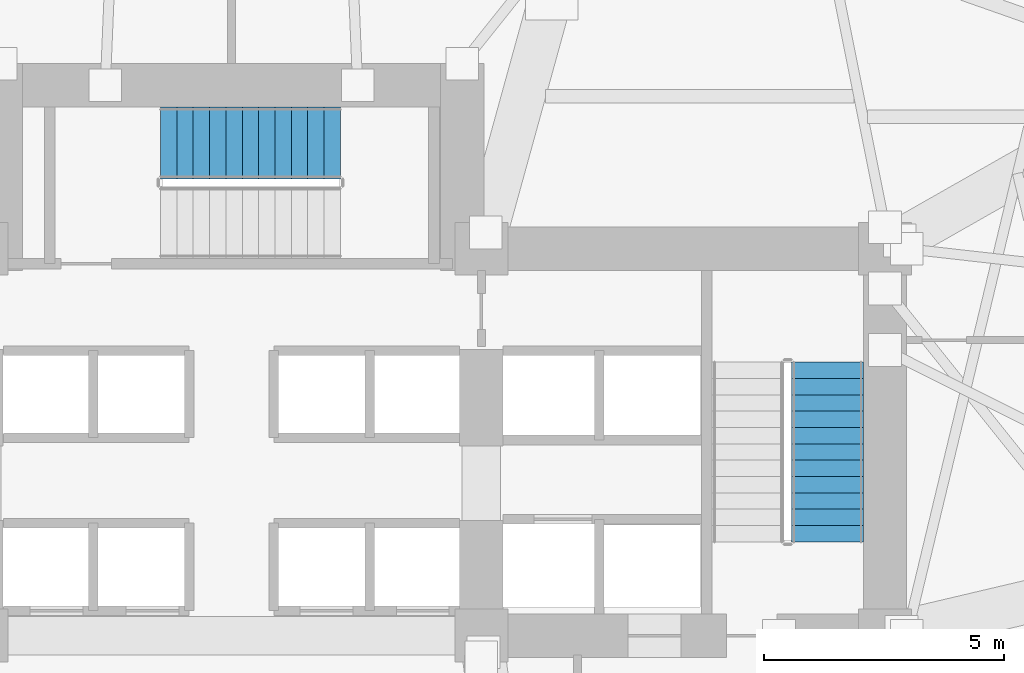
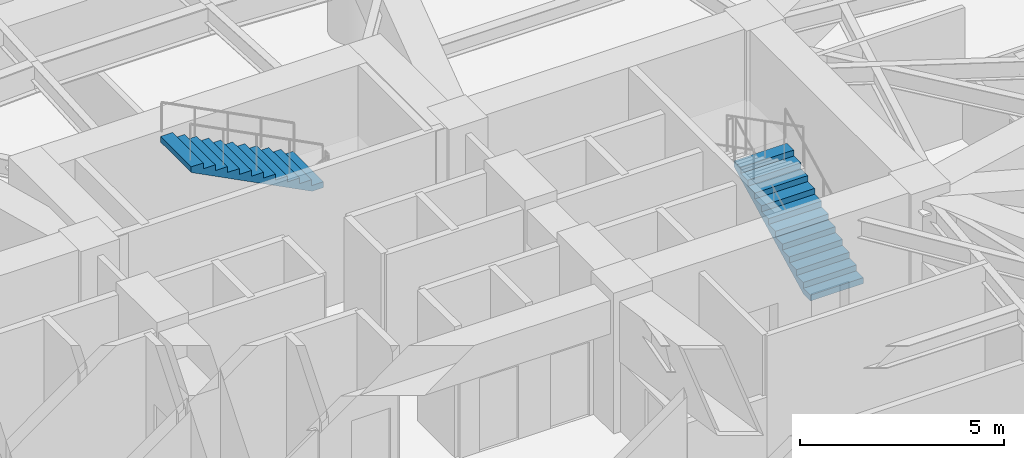
# One storey, part 9 of 14: 2 stair flights, 2 elements without a shape of their own.
"""IFC4 building model written with IfcOpenShell, lengths in metres."""

from ifc_helpers import new_model, si_unit, direction, frame, origin, place, context, subcontext, project, spatial, polyline, outline, extrude, material, type_object, element, aggregate, save


model = new_model("IFC4")

# Units and contexts
model_context = context("Model", 3, precision=1e-05, world=origin(), true_north=direction((0.0, 1.0)))
body_context = subcontext(model_context, "Body", "Model", "MODEL_VIEW")
ifc_project = project(units=[si_unit("LENGTHUNIT", "METRE"), si_unit("AREAUNIT", "SQUARE_METRE"), si_unit("VOLUMEUNIT", "CUBIC_METRE"), si_unit("PLANEANGLEUNIT", "RADIAN"), si_unit("MASSUNIT", "GRAM", prefix="KILO")], contexts=[model_context])

# Site, building, storey
site_placement = place(None, origin())
site = spatial("IfcSite", under=ifc_project, at=site_placement, CompositionType="ELEMENT")
building_placement = place(site_placement, origin())
building = spatial("IfcBuilding", under=site, at=building_placement, Name="Keldmark Tower", CompositionType="ELEMENT")
storey_placement = place(building_placement, frame((0.0, 0.0, 22.800048828125)))
storey = spatial("IfcBuildingStorey", under=building, at=storey_placement, Name="L05", CompositionType="ELEMENT", Elevation=22.800048828125)

# Stair, stair flight
ifc_material_1 = material(Name="Concrete C40/50", Category="concrete")
stair_type = type_object("IfcStairType", Name="Precast Concrete Core Exit Stair", PredefinedType="HALF_TURN_STAIR", material=ifc_material_1)
stair_1_placement = place(storey_placement, origin())
stair_1 = element("IfcStair", 1, at=stair_1_placement, inside=storey, type_object=stair_type, Name="L05 Exit Stair ST2", PredefinedType="HALF_TURN_STAIR")
ifc_material_2 = material(Name="Concrete C40/50", Category="concrete")
stair_flight_type = type_object("IfcStairFlightType", Name="Precast Concrete Stair Flight 1500 mm", PredefinedType="STRAIGHT", material=ifc_material_2)
stair_flight_1_placement = place(storey_placement, frame((12.39990234375, 3.35009765625, 0.0), z_axis=(0.0, 0.0, 1.0), x_axis=(0.0, 1.0, 0.0)))
stair_flight_1 = element("IfcStairFlight", 2, at=stair_flight_1_placement, type_object=stair_flight_type, Name="ST2 flight 1", NumberOfRisers=12, NumberOfTreads=11, PredefinedType="STRAIGHT", RiserHeight=0.175, TreadLength=0.34, context=body_context, shape_type="SweptSolid", body=[
    extrude(outline(polyline([(0.0, 0.0), (0.0, 0.175048828125), (0.340087890625, 0.175048828125), (0.340087890625, 0.35009765625), (0.679931640625, 0.35009765625), (0.679931640625, 0.52490234375), (1.02001953125, 0.52490234375), (1.02001953125, 0.699951171875), (1.360107421875, 0.699951171875), (1.360107421875, 0.875), (1.699951171875, 0.875), (1.699951171875, 1.050048828125), (2.0400390625, 1.050048828125), (2.0400390625, 1.22509765625), (2.3798828125, 1.22509765625), (2.3798828125, 1.39990234375), (2.719970703125, 1.39990234375), (2.719970703125, 1.574951171875), (3.06005859375, 1.574951171875), (3.06005859375, 1.75), (3.39990234375, 1.75), (3.39990234375, 1.925048828125), (3.739990234375, 1.925048828125), (3.739990234375, 2.10009765625), (3.739990234375, 1.75634765625), (0.32763671875, 0.0), (0.0, 0.0)])), frame((0.0, 0.75, 0.0), z_axis=(0.0, -1.0, 0.0), x_axis=(1.0, 0.0, 0.0)), (0.0, 0.0, 1.0), 1.5),
])
aggregate(stair_1, [stair_flight_1])

stair_2_placement = place(storey_placement, origin())
stair_2 = element("IfcStair", 3, at=stair_2_placement, inside=storey, type_object=stair_type, Name="L05 Exit Stair ST3", PredefinedType="HALF_TURN_STAIR")
stair_flight_2_placement = place(storey_placement, frame((2.264892578125, 11.64990234375, 2.099853515625), z_axis=(0.0, 0.0, 1.0), x_axis=(-1.0, 0.0, 0.0)))
stair_flight_2 = element("IfcStairFlight", 4, at=stair_flight_2_placement, type_object=stair_flight_type, Name="ST3 flight 2", NumberOfRisers=12, NumberOfTreads=11, PredefinedType="STRAIGHT", RiserHeight=0.175, TreadLength=0.34, context=body_context, shape_type="SweptSolid", body=[
    extrude(outline(polyline([(0.0, 0.0), (0.0, 0.175048828125), (0.340087890625, 0.175048828125), (0.340087890625, 0.35009765625), (0.679931640625, 0.35009765625), (0.679931640625, 0.52490234375), (1.02001953125, 0.52490234375), (1.02001953125, 0.699951171875), (1.360107421875, 0.699951171875), (1.360107421875, 0.875), (1.699951171875, 0.875), (1.699951171875, 1.050048828125), (2.0400390625, 1.050048828125), (2.0400390625, 1.22509765625), (2.3798828125, 1.22509765625), (2.3798828125, 1.39990234375), (2.719970703125, 1.39990234375), (2.719970703125, 1.574951171875), (3.06005859375, 1.574951171875), (3.06005859375, 1.75), (3.39990234375, 1.75), (3.39990234375, 1.925048828125), (3.739990234375, 1.925048828125), (3.739990234375, 2.10009765625), (3.739990234375, 1.75634765625), (0.32763671875, 0.0), (0.0, 0.0)])), frame((0.0, 0.75, 0.0), z_axis=(0.0, -1.0, 0.0), x_axis=(1.0, 0.0, 0.0)), (0.0, 0.0, 1.0), 1.5),
])
aggregate(stair_2, [stair_flight_2])

save(model, "model.ifc")
